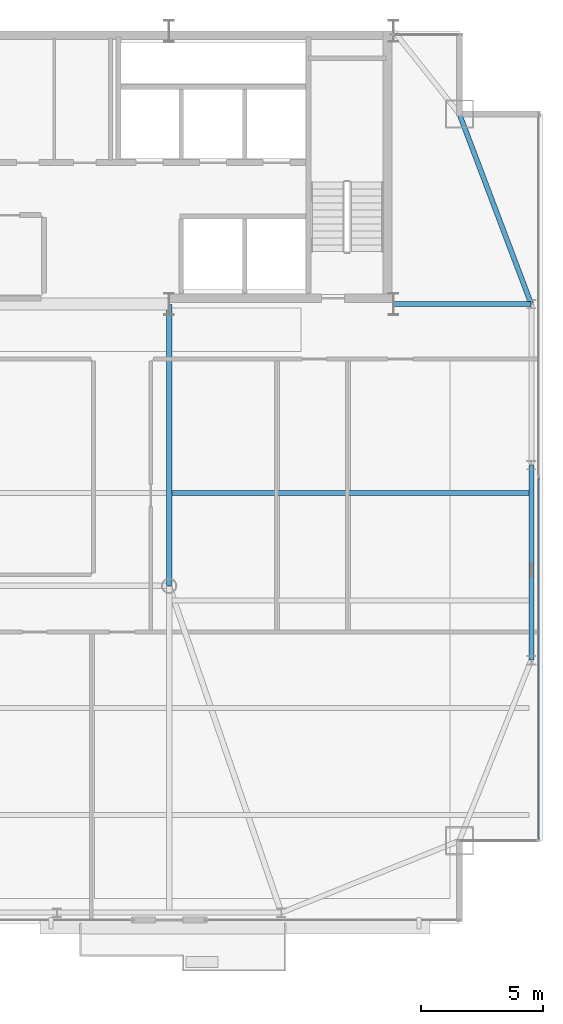
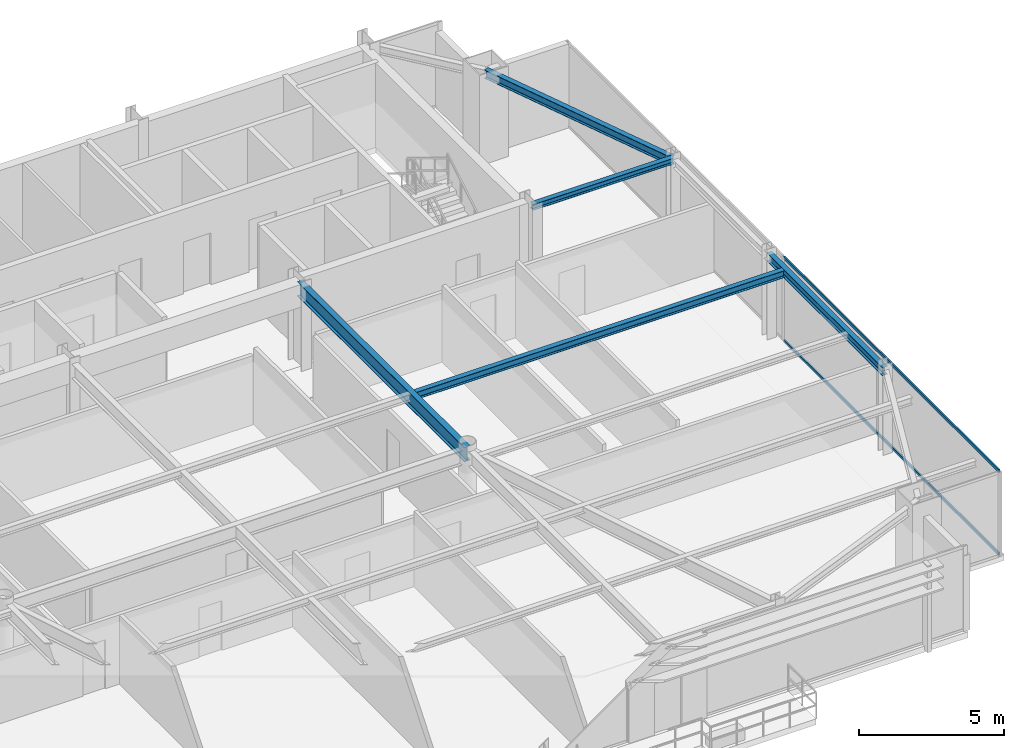
# One storey, part 18 of 30: 5 beams, 2 members, 1 element without a shape of its own.
"""IFC4 building model written with IfcOpenShell, lengths in metres."""

from ifc_helpers import new_model, si_unit, direction, frame, origin, origin_2d, place, context, subcontext, project, spatial, hollow_rectangle, i_section, extrude, source, transform, mapped, material, layer, layer_set, material_profile, profile_set, type_object, type_shapes, element, aggregate, save


model = new_model("IFC4")

# Units and contexts
model_context = context("Model", 3, precision=1e-05, world=origin(), true_north=direction((0.0, 1.0)))
body_context = subcontext(model_context, "Body", "Model", "MODEL_VIEW")
ifc_project = project(units=[si_unit("LENGTHUNIT", "METRE"), si_unit("AREAUNIT", "SQUARE_METRE"), si_unit("VOLUMEUNIT", "CUBIC_METRE"), si_unit("PLANEANGLEUNIT", "RADIAN"), si_unit("MASSUNIT", "GRAM", prefix="KILO")], contexts=[model_context])

# Site, building, storey
site_placement = place(None, origin())
site = spatial("IfcSite", under=ifc_project, at=site_placement, CompositionType="ELEMENT")
building_placement = place(site_placement, origin())
building = spatial("IfcBuilding", under=site, at=building_placement, Name="Varnel Quay Broadcast Tower", CompositionType="ELEMENT")
storey_placement = place(building_placement, frame((0.0, 0.0, 247.0)))
storey = spatial("IfcBuildingStorey", under=building, at=storey_placement, Name="L61", CompositionType="ELEMENT", Elevation=247.0)

# Beams
ifc_material_1 = material(Name="Structural Steel CSA G40.21 350W", Category="steel")
ifc_material_profile_1 = material_profile(ifc_material_1, i_section(OverallWidth=0.205078125, OverallDepth=0.35400390625, WebThickness=0.009521484375, FlangeThickness=0.016845703125, FilletRadius=0.012939453125, at=origin_2d()), Name="W360X79")
ifc_profile_set_1 = profile_set([ifc_material_profile_1], Name="Structural Steel CSA G40.21 350W")
beam_type_1 = type_object("IfcBeamType", Name="Beam_W360X79", PredefinedType="SPANDREL", material=ifc_profile_set_1)
shared_shape_1 = source(origin(), body_context, "Body", "SweptSolid", [
    extrude(i_section(OverallWidth=0.205078125, OverallDepth=0.35400390625, WebThickness=0.009521484375, FlangeThickness=0.016845703125, FilletRadius=0.012939453125, at=origin_2d()), origin(), (0.0, 0.0, 1.0), 7.9599609375),
])
beam_1_placement = place(storey_placement, frame((58.050048828125, 21.02001953125, 3.373046875), z_axis=(0.0, 1.0, 0.0), x_axis=(-1.0, 0.0, 0.0)))
element("IfcBeam", 1, at=beam_1_placement, inside=storey, type_object=beam_type_1, Name="L61 East Spandrel TC-E1-TC-E2", PredefinedType="SPANDREL", context=body_context, shape_type="MappedRepresentation", body=[
    mapped(shared_shape_1, transform((0.0, 0.0, 0.0), x_axis=(1.0, 0.0, 0.0), y_axis=(0.0, 1.0, 0.0), z_axis=(0.0, 0.0, 1.0), scale=1.0)),
])
shared_shape_2 = source(origin(), body_context, "Body", "SweptSolid", [
    extrude(i_section(OverallWidth=0.205078125, OverallDepth=0.35400390625, WebThickness=0.009521484375, FlangeThickness=0.016845703125, FilletRadius=0.012939453125, at=origin_2d()), origin(), (0.0, 0.0, 1.0), 8.29931640625),
])
type_shapes(beam_type_1, [shared_shape_1, shared_shape_2])
beam_2_placement = place(storey_placement, frame((58.04296875, 35.61865234375, 3.373046875), z_axis=(-0.353739782058, 0.935343876117, 0.0), x_axis=(-0.935343876117, -0.353739782058, 0.0)))
element("IfcBeam", 2, at=beam_2_placement, inside=storey, type_object=beam_type_1, Name="L61 East Spandrel TC-E3-MC-NE", PredefinedType="SPANDREL", context=body_context, shape_type="MappedRepresentation", body=[
    mapped(shared_shape_2, transform((0.0, 0.0, 0.0), x_axis=(1.0, 0.0, 0.0), y_axis=(0.0, 1.0, 0.0), z_axis=(0.0, 0.0, 1.0), scale=1.0)),
])
ifc_material_profile_2 = material_profile(ifc_material_1, i_section(OverallWidth=0.22998046875, OverallDepth=0.616943359375, WebThickness=0.01318359375, FlangeThickness=0.022216796875, FilletRadius=0.01611328125, at=origin_2d()), Name="W610X140")
ifc_profile_set_2 = profile_set([ifc_material_profile_2], Name="Structural Steel CSA G40.21 350W")
beam_type_2 = type_object("IfcBeamType", Name="Girder_W610X140", PredefinedType="BEAM", material=ifc_profile_set_2)
shared_shape_3 = source(origin(), body_context, "Body", "SweptSolid", [
    extrude(i_section(OverallWidth=0.22998046875, OverallDepth=0.616943359375, WebThickness=0.01318359375, FlangeThickness=0.022216796875, FilletRadius=0.01611328125, at=origin_2d()), origin(), (0.0, 0.0, 1.0), 11.510009765625),
])
type_shapes(beam_type_2, [shared_shape_3])
beam_3_placement = place(storey_placement, frame((43.199951171875, 24.070068359375, 3.241455078125), z_axis=(0.0, 1.0, 0.0), x_axis=(-1.0, 0.0, 0.0)))
element("IfcBeam", 3, at=beam_3_placement, inside=storey, type_object=beam_type_2, Name="L61 Primary Girder IC-02-CC-S4", PredefinedType="BEAM", context=body_context, shape_type="MappedRepresentation", body=[
    mapped(shared_shape_3, transform((0.0, 0.0, 0.0), x_axis=(1.0, 0.0, 0.0), y_axis=(0.0, 1.0, 0.0), z_axis=(0.0, 0.0, 1.0), scale=1.0)),
])
ifc_material_profile_3 = material_profile(ifc_material_1, i_section(OverallWidth=0.201904296875, OverallDepth=0.2470703125, WebThickness=0.00732421875, FlangeThickness=0.010986328125, FilletRadius=0.010986328125, at=origin_2d()), Name="W250X49")
ifc_profile_set_3 = profile_set([ifc_material_profile_3], Name="Structural Steel CSA G40.21 350W")
beam_type_3 = type_object("IfcBeamType", Name="Beam_W250X49", PredefinedType="JOIST", material=ifc_profile_set_3)
shared_shape_4 = source(origin(), body_context, "Body", "SweptSolid", [
    extrude(i_section(OverallWidth=0.201904296875, OverallDepth=0.2470703125, WebThickness=0.00732421875, FlangeThickness=0.010986328125, FilletRadius=0.010986328125, at=origin_2d()), origin(), (0.0, 0.0, 1.0), 5.610107421875),
])
type_shapes(beam_type_3, [shared_shape_4])
beam_4_placement = place(storey_placement, frame((52.419921875, 35.60009765625, 3.426513671875), z_axis=(1.0, 0.0, 0.0), x_axis=(0.0, 1.0, 0.0)))
element("IfcBeam", 4, at=beam_4_placement, inside=storey, type_object=beam_type_3, Name="L61 East Core Tie Joist", PredefinedType="JOIST", context=body_context, shape_type="MappedRepresentation", body=[
    mapped(shared_shape_4, transform((0.0, 0.0, 0.0), x_axis=(1.0, 0.0, 0.0), y_axis=(0.0, 1.0, 0.0), z_axis=(0.0, 0.0, 1.0), scale=1.0)),
])
ifc_material_profile_4 = material_profile(ifc_material_1, i_section(OverallWidth=0.202880859375, OverallDepth=0.302978515625, WebThickness=0.007568359375, FlangeThickness=0.01318359375, FilletRadius=0.011962890625, at=origin_2d()), Name="W310X60")
ifc_profile_set_4 = profile_set([ifc_material_profile_4], Name="Structural Steel CSA G40.21 350W")
beam_type_4 = type_object("IfcBeamType", Name="Beam_W310X60", PredefinedType="JOIST", material=ifc_profile_set_4)
shared_shape_5 = source(origin(), body_context, "Body", "SweptSolid", [
    extrude(i_section(OverallWidth=0.202880859375, OverallDepth=0.302978515625, WebThickness=0.007568359375, FlangeThickness=0.01318359375, FilletRadius=0.011962890625, at=origin_2d()), origin(), (0.0, 0.0, 1.0), 14.642333984375),
])
type_shapes(beam_type_4, [shared_shape_5])
beam_5_placement = place(storey_placement, frame((43.31005859375, 27.85009765625, 3.3984375), z_axis=(1.0, 0.0, 0.0), x_axis=(0.0, 1.0, 0.0)))
element("IfcBeam", 5, at=beam_5_placement, inside=storey, type_object=beam_type_4, Name="L61 East Floor Joist 4", PredefinedType="JOIST", context=body_context, shape_type="MappedRepresentation", body=[
    mapped(shared_shape_5, transform((0.0, 0.0, 0.0), x_axis=(1.0, 0.0, 0.0), y_axis=(0.0, 1.0, 0.0), z_axis=(0.0, 0.0, 1.0), scale=1.0)),
])

# Curtain wall, members
ifc_material_2 = material(Name="Anodised Bronze Aluminium 6063-T6", Category="aluminium")
ifc_layer = layer(ifc_material_2, 0.18994140625, Name="Anodised Bronze Aluminium 6063-T6")
ifc_layer_set = layer_set([ifc_layer], Name="Anodised Bronze Aluminium 6063-T6")
curtain_wall_type = type_object("IfcCurtainWallType", Name="CW_UpperTower", PredefinedType="NOTDEFINED", material=ifc_layer_set)
curtain_wall_placement = place(storey_placement, origin())
curtain_wall = element("IfcCurtainWall", 6, at=curtain_wall_placement, inside=storey, type_object=curtain_wall_type, Name="L61 East Unitised Curtain Wall", PredefinedType="NOTDEFINED")
ifc_material_profile_5 = material_profile(ifc_material_2, hollow_rectangle(XDim=0.06005859375, YDim=0.125, WallThickness=0.0029296875, at=origin_2d()), Name="ALU60X125X3")
ifc_profile_set_5 = profile_set([ifc_material_profile_5], Name="Anodised Bronze Aluminium 6063-T6")
member_type = type_object("IfcMemberType", Name="Tran_CWS-03", PredefinedType="USERDEFINED", material=ifc_profile_set_5)
shared_shape_6 = source(origin(), body_context, "Body", "SweptSolid", [
    extrude(hollow_rectangle(XDim=0.06005859375, YDim=0.125, WallThickness=0.0029296875, at=origin_2d()), origin(), (0.0, 0.0, 1.0), 14.802490234375),
])
type_shapes(member_type, [shared_shape_6])
member_1_placement = place(storey_placement, frame((58.35009765625, 13.6650390625, 0.030029296875), z_axis=(0.0, 1.0, 0.0), x_axis=(-1.0, 0.0, 0.0)))
member_1 = element("IfcMember", 7, at=member_1_placement, type_object=member_type, Name="CWS-03 transom 1.1", ObjectType="TRANSOM", PredefinedType="USERDEFINED", context=body_context, shape_type="MappedRepresentation", body=[
    mapped(shared_shape_6, transform((0.0, 0.0, 0.0), x_axis=(1.0, 0.0, 0.0), y_axis=(0.0, 1.0, 0.0), z_axis=(0.0, 0.0, 1.0), scale=1.0)),
])
member_2_placement = place(storey_placement, frame((58.35009765625, 13.6650390625, 3.52001953125), z_axis=(0.0, 1.0, 0.0), x_axis=(-1.0, 0.0, 0.0)))
member_2 = element("IfcMember", 8, at=member_2_placement, type_object=member_type, Name="CWS-03 transom 1.2", ObjectType="TRANSOM", PredefinedType="USERDEFINED", context=body_context, shape_type="MappedRepresentation", body=[
    mapped(shared_shape_6, transform((0.0, 0.0, 0.0), x_axis=(1.0, 0.0, 0.0), y_axis=(0.0, 1.0, 0.0), z_axis=(0.0, 0.0, 1.0), scale=1.0)),
])
aggregate(curtain_wall, [member_1, member_2])

save(model, "model.ifc")
